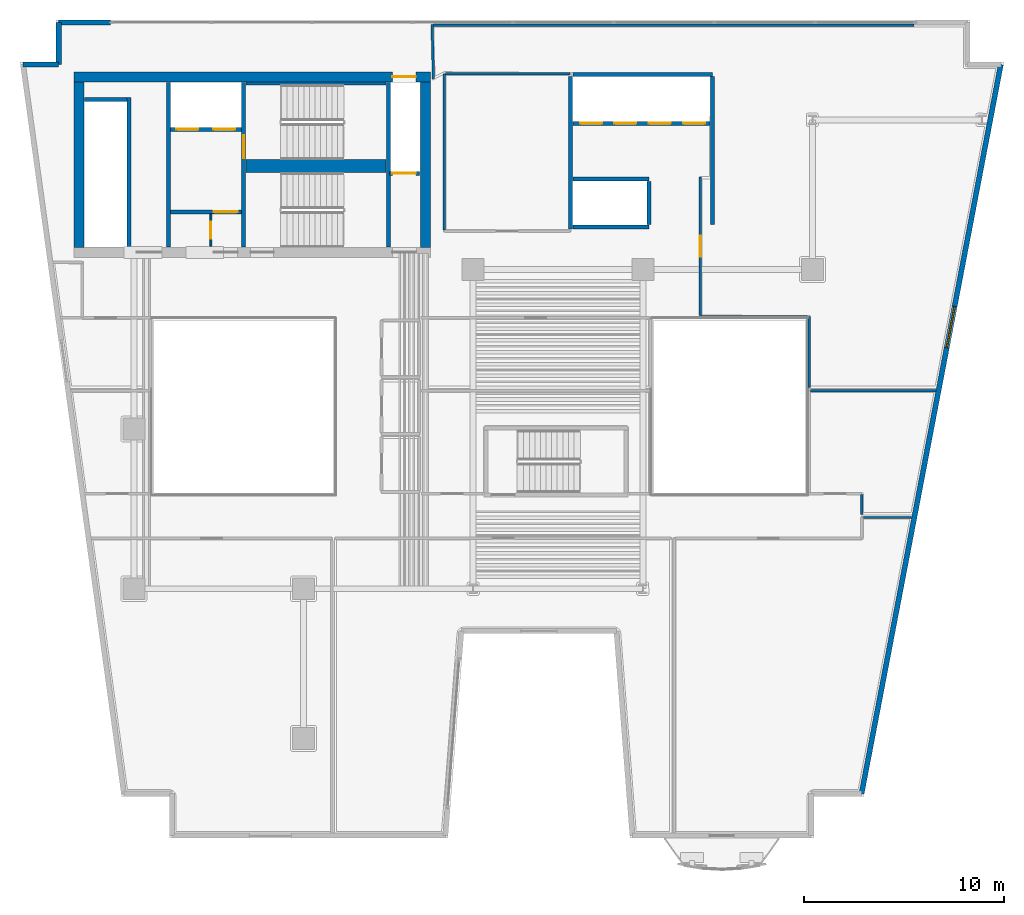
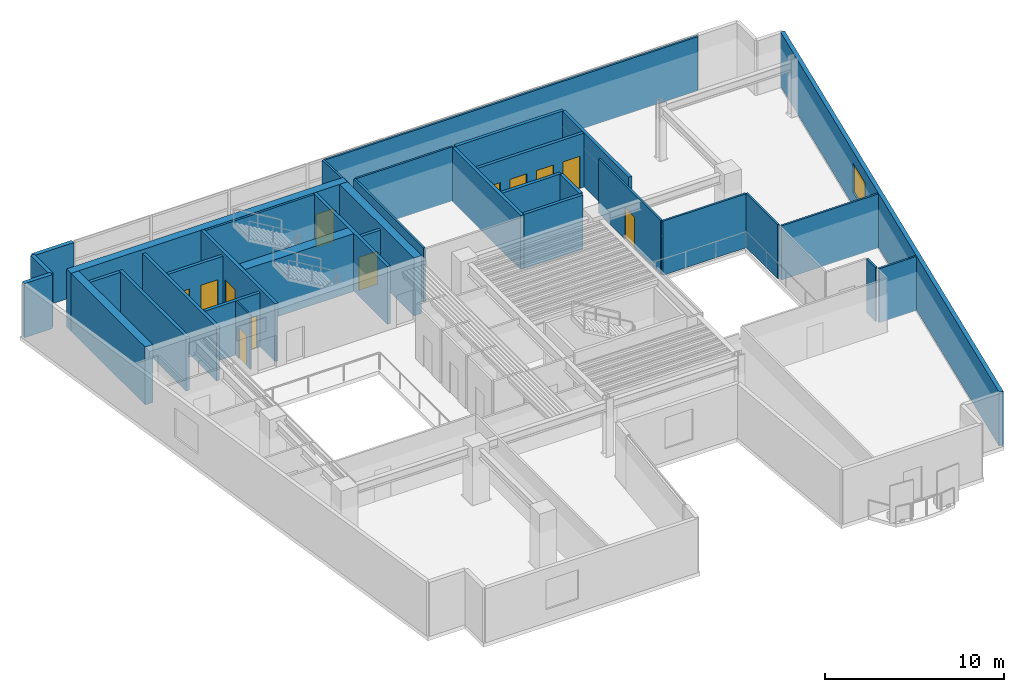
# One storey, part 7 of 13: 35 walls, 12 doors, 1 window, 13 openings.
"""IFC4 building model written with IfcOpenShell, lengths in metres."""

from ifc_helpers import new_model, si_unit, direction, frame, frame_2d, origin, place, context, subcontext, project, spatial, rectangle, extrude, material, layer, layer_set, type_object, element, fill, save


model = new_model("IFC4")

# Units and contexts
model_context = context("Model", 3, precision=1e-05, world=origin(), true_north=direction((0.0, 1.0)))
body_context = subcontext(model_context, "Body", "Model", "MODEL_VIEW")
ifc_project = project(units=[si_unit("LENGTHUNIT", "METRE"), si_unit("AREAUNIT", "SQUARE_METRE"), si_unit("VOLUMEUNIT", "CUBIC_METRE"), si_unit("PLANEANGLEUNIT", "RADIAN"), si_unit("MASSUNIT", "GRAM", prefix="KILO")], contexts=[model_context])

# Site, building, storey
site_placement = place(None, origin())
site = spatial("IfcSite", under=ifc_project, at=site_placement, CompositionType="ELEMENT")
building_placement = place(site_placement, origin())
building = spatial("IfcBuilding", under=site, at=building_placement, Name="Caeloran Harvest Quay", CompositionType="ELEMENT")
storey_placement = place(building_placement, frame((0.0, 0.0, 143.0)))
storey = spatial("IfcBuildingStorey", under=building, at=storey_placement, Name="L33", CompositionType="ELEMENT", Elevation=143.0)

# Walls
ifc_material_1 = material(Name="Precast concrete C50/60", Category="concrete")
ifc_layer_1 = layer(ifc_material_1, 0.260009765625, Name="Precast concrete C50/60")
ifc_layer_set_1 = layer_set([ifc_layer_1], Name="Precast concrete C50/60")
wall_type_1 = type_object("IfcWallType", Name="ENV-WALL-EW-260", PredefinedType="STANDARD", material=ifc_layer_set_1)
wall_1_placement = place(storey_placement, frame((2.939697265625, 41.27001953125, 0.0), z_axis=(0.0, 0.0, 1.0), x_axis=(1.0, 0.0, 0.0)))
element("IfcWall", 1, at=wall_1_placement, inside=storey, type_object=wall_type_1, Name="L33 Exterior Precast Concrete Facade Wall 4", PredefinedType="STANDARD", context=body_context, shape_type="SweptSolid", body=[
    extrude(rectangle(XDim=1.790283203125, YDim=0.260009765625, at=frame_2d((0.89501953125, 0.0))), origin(), (0.0, 0.0, 1.0), 3.68994140625),
])
wall_2_placement = place(storey_placement, frame((4.72998046875, 41.27001953125, 0.0), z_axis=(0.0, 0.0, 1.0), x_axis=(0.0, 1.0, 0.0)))
element("IfcWall", 2, at=wall_2_placement, inside=storey, type_object=wall_type_1, Name="L33 Exterior Precast Concrete Facade Wall 5", PredefinedType="STANDARD", context=body_context, shape_type="SweptSolid", body=[
    extrude(rectangle(XDim=2.10009765625, YDim=0.260009765625, at=frame_2d((1.050048828125, 0.0))), origin(), (0.0, 0.0, 1.0), 3.68994140625),
])
wall_3_placement = place(storey_placement, frame((4.72998046875, 43.3701171875, 0.0), z_axis=(0.0, 0.0, 1.0), x_axis=(1.0, 0.0, 0.0)))
element("IfcWall", 3, at=wall_3_placement, inside=storey, type_object=wall_type_1, Name="L33 Exterior Facade Corner Pier Wall 6A", PredefinedType="STANDARD", context=body_context, shape_type="SweptSolid", body=[
    extrude(rectangle(XDim=2.60009765625, YDim=0.260009765625, at=frame_2d((1.300048828125, 0.0))), origin(), (0.0, 0.0, 1.0), 3.68994140625),
])

# Wall, opening, window
wall_4_placement = place(storey_placement, frame((51.94189453125, 41.27001953125, 0.0), z_axis=(0.0, 0.0, 1.0), x_axis=(-0.187592192405, -0.982247000173, 0.0)))
wall_4 = element("IfcWall", 4, at=wall_4_placement, inside=storey, type_object=wall_type_1, Name="L33 Exterior Precast Concrete Facade Wall 9", PredefinedType="STANDARD", context=body_context, shape_type="SweptSolid", body=[
    extrude(rectangle(XDim=37.200439453125, YDim=0.260009765625, at=frame_2d((18.60009765625, 0.0))), origin(), (0.0, 0.0, 1.0), 3.68994140625),
])
opening_1_placement = place(wall_4_placement, frame((12.342041015625, 0.0, 0.89990234375)))
opening_1 = element("IfcOpeningElement", 5, at=opening_1_placement, cuts=wall_4, Name="Opening W-06", PredefinedType="OPENING", context=body_context, shape_type="SweptSolid", body=[
    extrude(rectangle(XDim=2.10009765625, YDim=2.0, at=frame_2d((1.050048828125, 1.0))), frame((0.0, 0.14013671875, 0.0), z_axis=(0.0, -1.0, 0.0), x_axis=(1.0, 0.0, 0.0)), (0.0, 0.0, 1.0), 0.280029296875),
])
ifc_material_2 = material(Name="Aluminium-Framed Low-E Laminated Glass", Category="aluminium")
window_type = type_object("IfcWindowType", Name="WIN-W-06", PartitioningType="DOUBLE_PANEL_VERTICAL", PredefinedType="WINDOW", material=ifc_material_2)
window_placement = place(opening_1_placement, origin())
window = element("IfcWindow", 6, at=window_placement, inside=storey, type_object=window_type, Name="L33 Facade Punched Window W-06", OverallHeight=2.0, OverallWidth=2.10009765625, PartitioningType="DOUBLE_PANEL_VERTICAL", PredefinedType="WINDOW", context=body_context, shape_type="SweptSolid", body=[
    extrude(rectangle(XDim=2.10009765625, YDim=2.0, at=frame_2d((1.050048828125, 1.0))), frame((0.0, 0.030029296875, 0.0), z_axis=(0.0, -1.0, 0.0), x_axis=(1.0, 0.0, 0.0)), (0.0, 0.0, 1.0), 0.06005859375),
])
fill(opening_1, window)

# Wall, opening, door
ifc_material_3 = material(Name="Fire-Resisting Gypsum Core Riser Partition", Category="gypsum")
ifc_layer_2 = layer(ifc_material_3, 0.10009765625, Name="Fire-Resisting Gypsum Core Riser Partition")
ifc_layer_set_2 = layer_set([ifc_layer_2], Name="Fire-Resisting Gypsum Core Riser Partition")
wall_type_2 = type_object("IfcWallType", Name="INT-WALL-PW-100", PredefinedType="PARTITIONING", material=ifc_layer_set_2)
wall_5_placement = place(storey_placement, frame((12.360107421875, 32.159912109375, 0.0), z_axis=(0.0, 0.0, 1.0), x_axis=(0.0, 1.0, 0.0)))
wall_5 = element("IfcWall", 7, at=wall_5_placement, inside=storey, type_object=wall_type_2, Name="L33 Core Store Partition Wall", PredefinedType="PARTITIONING", context=body_context, shape_type="SweptSolid", body=[
    extrude(rectangle(XDim=1.6201171875, YDim=0.10009765625, at=frame_2d((0.81005859375, 0.0))), origin(), (0.0, 0.0, 1.0), 3.68994140625),
])
opening_2_placement = place(wall_5_placement, frame((0.3798828125, 0.0, 0.0)))
opening_2 = element("IfcOpeningElement", 8, at=opening_2_placement, cuts=wall_5, Name="Opening SV-01", PredefinedType="OPENING", context=body_context, shape_type="SweptSolid", body=[
    extrude(rectangle(XDim=0.85009765625, YDim=2.10009765625, at=frame_2d((0.425048828125, 1.050048828125))), frame((0.0, 0.06005859375, 0.0), z_axis=(0.0, -1.0, 0.0), x_axis=(1.0, 0.0, 0.0)), (0.0, 0.0, 1.0), 0.1201171875),
])
ifc_material_4 = material(Name="Galvanized Painted Steel", Category="steel")
door_type_1 = type_object("IfcDoorType", Name="INTDOOR-SV-01", OperationType="NOTDEFINED", PredefinedType="DOOR", material=ifc_material_4)
door_1_placement = place(opening_2_placement, origin())
door_1 = element("IfcDoor", 9, at=door_1_placement, inside=storey, type_object=door_type_1, Name="L33 Core Service Room Access Door", OperationType="SINGLE_SWING_RIGHT", OverallHeight=2.10009765625, OverallWidth=0.85009765625, PredefinedType="DOOR", context=body_context, shape_type="SweptSolid", body=[
    extrude(rectangle(XDim=0.85009765625, YDim=2.10009765625, at=frame_2d((0.425048828125, 1.050048828125))), frame((0.0, 0.02490234375, 0.0), z_axis=(0.0, -1.0, 0.0), x_axis=(1.0, 0.0, 0.0)), (0.0, 0.0, 1.0), 0.050048828125),
])
fill(opening_2, door_1)

# Walls
ifc_material_5 = material(Name="Twin-Stud Mineral-Wool Acoustic Gypsum Partition", Category="gypsum")
ifc_layer_3 = layer(ifc_material_5, 0.125, Name="Twin-Stud Mineral-Wool Acoustic Gypsum Partition")
ifc_layer_set_3 = layer_set([ifc_layer_3], Name="Twin-Stud Mineral-Wool Acoustic Gypsum Partition")
wall_type_3 = type_object("IfcWallType", Name="INT-WALL-PW-125", PredefinedType="PARTITIONING", material=ifc_layer_set_3)
wall_6_placement = place(storey_placement, frame((24.050048828125, 32.987548828125, 0.0), z_axis=(0.0, 0.0, 1.0), x_axis=(0.0, 1.0, 0.0)))
element("IfcWall", 10, at=wall_6_placement, inside=storey, type_object=wall_type_3, Name="L33 Bioinformatics and Crop Phenotyping Laboratory Partition Wall", PredefinedType="PARTITIONING", context=body_context, shape_type="SweptSolid", body=[
    extrude(rectangle(XDim=7.8125, YDim=0.125, at=frame_2d((3.90625, 0.0))), origin(), (0.0, 0.0, 1.0), 3.68994140625),
])
wall_7_placement = place(storey_placement, frame((24.117431640625, 40.800048828125, 0.0), z_axis=(0.0, 0.0, 1.0), x_axis=(1.0, 0.0, 0.0)))
element("IfcWall", 11, at=wall_7_placement, inside=storey, type_object=wall_type_3, Name="L33 Bioinformatics and Crop Phenotyping Laboratory Partition Wall", PredefinedType="PARTITIONING", context=body_context, shape_type="SweptSolid", body=[
    extrude(rectangle(XDim=6.232666015625, YDim=0.125, at=frame_2d((3.1162109375, 0.0))), origin(), (0.0, 0.0, 1.0), 3.68994140625),
])
wall_8_placement = place(storey_placement, frame((45.047607421875, 18.570068359375, 0.0), z_axis=(0.0, 0.0, 1.0), x_axis=(1.0, 0.0, 0.0)))
element("IfcWall", 12, at=wall_8_placement, inside=storey, type_object=wall_type_3, Name="Food Texture Sensory Laboratory Partition Wall", PredefinedType="PARTITIONING", context=body_context, shape_type="SweptSolid", body=[
    extrude(rectangle(XDim=2.421630859375, YDim=0.125, at=frame_2d((1.2109375, 0.0))), origin(), (0.0, 0.0, 1.0), 3.68994140625),
])
wall_9_placement = place(storey_placement, frame((42.3974609375, 24.919921875, 0.0), z_axis=(0.0, 0.0, 1.0), x_axis=(1.0, 0.0, 0.0)))
element("IfcWall", 13, at=wall_9_placement, inside=storey, type_object=wall_type_3, Name="Bioreactor Pilot Hall Partition Wall", PredefinedType="PARTITIONING", context=body_context, shape_type="SweptSolid", body=[
    extrude(rectangle(XDim=6.284423828125, YDim=0.125, at=frame_2d((3.14208984375, 0.0))), origin(), (0.0, 0.0, 1.0), 3.68994140625),
])
wall_10_placement = place(storey_placement, frame((44.97998046875, 18.72998046875, 0.0), z_axis=(0.0, 0.0, 1.0), x_axis=(0.0, 1.0, 0.0)))
element("IfcWall", 14, at=wall_10_placement, inside=storey, type_object=wall_type_3, Name="Bioreactor Pilot Hall Partition Wall", PredefinedType="PARTITIONING", context=body_context, shape_type="SweptSolid", body=[
    extrude(rectangle(XDim=0.989990234375, YDim=0.125, at=frame_2d((0.4951171875, 0.0))), origin(), (0.0, 0.0, 1.0), 3.68994140625),
])
wall_11_placement = place(storey_placement, frame((42.330078125, 25.080078125, 0.0), z_axis=(0.0, 0.0, 1.0), x_axis=(0.0, 1.0, 0.0)))
element("IfcWall", 15, at=wall_11_placement, inside=storey, type_object=wall_type_3, Name="Food Texture Sensory Laboratory 9 Partition Wall", PredefinedType="PARTITIONING", context=body_context, shape_type="SweptSolid", body=[
    extrude(rectangle(XDim=3.5498046875, YDim=0.125, at=frame_2d((1.77490234375, 0.0))), origin(), (0.0, 0.0, 1.0), 3.68994140625),
])
wall_12_placement = place(storey_placement, frame((42.262451171875, 28.6298828125, 0.0), z_axis=(0.0, 0.0, 1.0), x_axis=(-1.0, 0.0, 0.0)))
element("IfcWall", 16, at=wall_12_placement, inside=storey, type_object=wall_type_3, Name="Food Texture Sensory Laboratory 9 Partition Wall", PredefinedType="PARTITIONING", context=body_context, shape_type="SweptSolid", body=[
    extrude(rectangle(XDim=5.382568359375, YDim=0.125, at=frame_2d((2.69140625, 0.0))), origin(), (0.0, 0.0, 1.0), 3.68994140625),
])

# Wall, opening, door
wall_13_placement = place(storey_placement, frame((36.8798828125, 28.697509765625, 0.0), z_axis=(0.0, 0.0, 1.0), x_axis=(0.0, 1.0, 0.0)))
wall_13 = element("IfcWall", 17, at=wall_13_placement, inside=storey, type_object=wall_type_3, Name="Food Texture Sensory Laboratory 9 Partition Wall", PredefinedType="PARTITIONING", context=body_context, shape_type="SweptSolid", body=[
    extrude(rectangle(XDim=6.922607421875, YDim=0.125, at=frame_2d((3.46142578125, 0.0))), origin(), (0.0, 0.0, 1.0), 3.68994140625),
])
opening_3_placement = place(wall_13_placement, frame((2.936279296875, 0.0, 0.0)))
opening_3 = element("IfcOpeningElement", 18, at=opening_3_placement, cuts=wall_13, Name="Opening ID-03", PredefinedType="OPENING", context=body_context, shape_type="SweptSolid", body=[
    extrude(rectangle(XDim=1.050048828125, YDim=2.14990234375, at=frame_2d((0.52490234375, 1.074951171875))), frame((0.0, 0.072509765625, 0.0), z_axis=(0.0, -1.0, 0.0), x_axis=(1.0, 0.0, 0.0)), (0.0, 0.0, 1.0), 0.14501953125),
])
ifc_material_6 = material(Name="FSC Solid-Core Oak Timber Leaf", Category="wood")
door_type_2 = type_object("IfcDoorType", Name="INTDOOR-ID-03", OperationType="NOTDEFINED", PredefinedType="DOOR", material=ifc_material_6)
door_2_placement = place(opening_3_placement, origin())
door_2 = element("IfcDoor", 19, at=door_2_placement, inside=storey, type_object=door_type_2, Name="Food Texture Sensory Laboratory 9 Access Door", OperationType="SINGLE_SWING_LEFT", OverallHeight=2.14990234375, OverallWidth=1.050048828125, PredefinedType="DOOR", context=body_context, shape_type="SweptSolid", body=[
    extrude(rectangle(XDim=1.050048828125, YDim=2.14990234375, at=frame_2d((0.52490234375, 1.074951171875))), frame((0.0, 0.02490234375, 0.0), z_axis=(0.0, -1.0, 0.0), x_axis=(1.0, 0.0, 0.0)), (0.0, 0.0, 1.0), 0.050048828125),
])
fill(opening_3, door_2)

# Walls
wall_14_placement = place(storey_placement, frame((23.510009765625, 40.555908203125, 0.0), z_axis=(0.0, 0.0, 1.0), x_axis=(-0.02567646332, 0.999670305266, 0.0)))
element("IfcWall", 20, at=wall_14_placement, inside=storey, type_object=wall_type_3, Name="Food Texture Sensory Laboratory 9 Partition Wall", PredefinedType="PARTITIONING", context=body_context, shape_type="SweptSolid", body=[
    extrude(rectangle(XDim=2.7099609375, YDim=0.125, at=frame_2d((1.35498046875, 0.0))), origin(), (0.0, 0.0, 1.0), 3.68994140625),
])
wall_15_placement = place(storey_placement, frame((23.508544921875, 43.239990234375, 0.0), z_axis=(0.0, 0.0, 1.0), x_axis=(1.0, 0.0, 0.0)))
element("IfcWall", 21, at=wall_15_placement, inside=storey, type_object=wall_type_3, Name="Food Texture Sensory Laboratory 9 Partition Wall", PredefinedType="PARTITIONING", context=body_context, shape_type="SweptSolid", body=[
    extrude(rectangle(XDim=24.0869140625, YDim=0.125, at=frame_2d((12.04345703125, 0.0))), origin(), (0.0, 0.0, 1.0), 3.68994140625),
])
ifc_material_7 = material(Name="Concrete C50/60", Category="concrete")
ifc_layer_4 = layer(ifc_material_7, 0.199951171875, Name="Concrete C50/60")
ifc_layer_set_4 = layer_set([ifc_layer_4], Name="Concrete C50/60")
wall_type_4 = type_object("IfcWallType", Name="INT-WALL-SW-200", PredefinedType="PARTITIONING", material=ifc_layer_set_4)
wall_16_placement = place(storey_placement, frame((8.260009765625, 32.1201171875, 0.0), z_axis=(0.0, 0.0, 1.0), x_axis=(0.0, 1.0, 0.0)))
element("IfcWall", 22, at=wall_16_placement, inside=storey, type_object=wall_type_4, Name="L33 Bank 3 Lift Shaft Wall", PredefinedType="PARTITIONING", context=body_context, shape_type="SweptSolid", body=[
    extrude(rectangle(XDim=7.5, YDim=0.199951171875, at=frame_2d((3.75, 0.0))), origin(), (0.0, 0.0, 1.0), 3.68994140625),
])
wall_17_placement = place(storey_placement, frame((6.02001953125, 39.52001953125, 0.0), z_axis=(0.0, 0.0, 1.0), x_axis=(1.0, 0.0, 0.0)))
element("IfcWall", 23, at=wall_17_placement, inside=storey, type_object=wall_type_4, Name="L33 Bank 3 Lift Shaft North End Wall", PredefinedType="PARTITIONING", context=body_context, shape_type="SweptSolid", body=[
    extrude(rectangle(XDim=2.119873046875, YDim=0.199951171875, at=frame_2d((1.06005859375, 0.0))), origin(), (0.0, 0.0, 1.0), 3.68994140625),
])
wall_18_placement = place(storey_placement, frame((10.219970703125, 32.1201171875, 0.0), z_axis=(0.0, 0.0, 1.0), x_axis=(0.0, 1.0, 0.0)))
element("IfcWall", 24, at=wall_18_placement, inside=storey, type_object=wall_type_4, Name="L33 Core Lobby Compartment Wall", PredefinedType="PARTITIONING", context=body_context, shape_type="SweptSolid", body=[
    extrude(rectangle(XDim=8.259765625, YDim=0.199951171875, at=frame_2d((4.1298828125, 0.0))), origin(), (0.0, 0.0, 1.0), 3.68994140625),
])

# Wall, openings, doors
wall_19_placement = place(storey_placement, frame((10.340087890625, 38.02001953125, 0.0), z_axis=(0.0, 0.0, 1.0), x_axis=(1.0, 0.0, 0.0)))
wall_19 = element("IfcWall", 25, at=wall_19_placement, inside=storey, type_object=wall_type_4, Name="L33 Firefighting Lift Shaft Wall", PredefinedType="PARTITIONING", context=body_context, shape_type="SweptSolid", body=[
    extrude(rectangle(XDim=3.539794921875, YDim=0.199951171875, at=frame_2d((1.77001953125, 0.0))), origin(), (0.0, 0.0, 1.0), 3.68994140625),
])
opening_4_placement = place(wall_19_placement, frame((0.284912109375, 0.0, 0.0)))
opening_4 = element("IfcOpeningElement", 26, at=opening_4_placement, cuts=wall_19, Name="Opening LD-01", PredefinedType="OPENING", context=body_context, shape_type="SweptSolid", body=[
    extrude(rectangle(XDim=1.10009765625, YDim=2.199951171875, at=frame_2d((0.550048828125, 1.10009765625))), frame((0.0, 0.10986328125, 0.0), z_axis=(0.0, -1.0, 0.0), x_axis=(1.0, 0.0, 0.0)), (0.0, 0.0, 1.0), 0.219970703125),
])
opening_5_placement = place(wall_19_placement, frame((2.135009765625, 0.0, 0.0)))
opening_5 = element("IfcOpeningElement", 27, at=opening_5_placement, cuts=wall_19, Name="Opening LD-01", PredefinedType="OPENING", context=body_context, shape_type="SweptSolid", body=[
    extrude(rectangle(XDim=1.10009765625, YDim=2.199951171875, at=frame_2d((0.550048828125, 1.10009765625))), frame((0.0, 0.10986328125, 0.0), z_axis=(0.0, -1.0, 0.0), x_axis=(1.0, 0.0, 0.0)), (0.0, 0.0, 1.0), 0.219970703125),
])
ifc_material_8 = material(Name="Stainless Steel Grade 316", Category="steel")
door_type_3 = type_object("IfcDoorType", Name="INTDOOR-LD-01", OperationType="NOTDEFINED", PredefinedType="DOOR", material=ifc_material_8)
door_3_placement = place(opening_4_placement, origin())
door_3 = element("IfcDoor", 28, at=door_3_placement, inside=storey, type_object=door_type_3, Name="Lift FF-1 Sliding Landing Door (L33)", OperationType="DOUBLE_DOOR_SLIDING", OverallHeight=2.199951171875, OverallWidth=1.10009765625, PredefinedType="DOOR", context=body_context, shape_type="SweptSolid", body=[
    extrude(rectangle(XDim=1.10009765625, YDim=2.199951171875, at=frame_2d((0.550048828125, 1.10009765625))), frame((0.0, 0.02490234375, 0.0), z_axis=(0.0, -1.0, 0.0), x_axis=(1.0, 0.0, 0.0)), (0.0, 0.0, 1.0), 0.050048828125),
])
fill(opening_4, door_3)
door_4_placement = place(opening_5_placement, origin())
door_4 = element("IfcDoor", 29, at=door_4_placement, inside=storey, type_object=door_type_3, Name="Lift FF-2 Sliding Landing Door (L33)", OperationType="DOUBLE_DOOR_SLIDING", OverallHeight=2.199951171875, OverallWidth=1.10009765625, PredefinedType="DOOR", context=body_context, shape_type="SweptSolid", body=[
    extrude(rectangle(XDim=1.10009765625, YDim=2.199951171875, at=frame_2d((0.550048828125, 1.10009765625))), frame((0.0, 0.02490234375, 0.0), z_axis=(0.0, -1.0, 0.0), x_axis=(1.0, 0.0, 0.0)), (0.0, 0.0, 1.0), 0.050048828125),
])
fill(opening_5, door_4)

# Wall, opening, door
wall_20_placement = place(storey_placement, frame((10.340087890625, 33.8798828125, 0.0), z_axis=(0.0, 0.0, 1.0), x_axis=(1.0, 0.0, 0.0)))
wall_20 = element("IfcWall", 30, at=wall_20_placement, inside=storey, type_object=wall_type_4, Name="L33 Firefighting Lift Lobby Enclosure Wall", PredefinedType="PARTITIONING", context=body_context, shape_type="SweptSolid", body=[
    extrude(rectangle(XDim=3.559814453125, YDim=0.199951171875, at=frame_2d((1.77978515625, 0.0))), origin(), (0.0, 0.0, 1.0), 3.68994140625),
])
opening_6_placement = place(wall_20_placement, frame((2.14990234375, 0.0, 0.0)))
opening_6 = element("IfcOpeningElement", 31, at=opening_6_placement, cuts=wall_20, Name="Opening FD-01", PredefinedType="OPENING", context=body_context, shape_type="SweptSolid", body=[
    extrude(rectangle(XDim=1.199951171875, YDim=2.199951171875, at=frame_2d((0.60009765625, 1.10009765625))), frame((0.0, 0.10986328125, 0.0), z_axis=(0.0, -1.0, 0.0), x_axis=(1.0, 0.0, 0.0)), (0.0, 0.0, 1.0), 0.219970703125),
])
ifc_material_9 = material(Name="Steel", Category="steel")
door_type_4 = type_object("IfcDoorType", Name="INTDOOR-FD-01", OperationType="NOTDEFINED", PredefinedType="DOOR", material=ifc_material_9)
door_5_placement = place(opening_6_placement, origin())
door_5 = element("IfcDoor", 32, at=door_5_placement, inside=storey, type_object=door_type_4, Name="L33 Firefighting Lift Lobby Smoke-Seal Fire Door", OperationType="SINGLE_SWING_LEFT", OverallHeight=2.199951171875, OverallWidth=1.199951171875, PredefinedType="DOOR", context=body_context, shape_type="SweptSolid", body=[
    extrude(rectangle(XDim=1.199951171875, YDim=2.199951171875, at=frame_2d((0.60009765625, 1.10009765625))), frame((0.0, 0.02490234375, 0.0), z_axis=(0.0, -1.0, 0.0), x_axis=(1.0, 0.0, 0.0)), (0.0, 0.0, 1.0), 0.050048828125),
])
fill(opening_6, door_5)

wall_21_placement = place(storey_placement, frame((21.300048828125, 35.820068359375, 0.0), z_axis=(0.0, 0.0, 1.0), x_axis=(1.0, 0.0, 0.0)))
wall_21 = element("IfcWall", 33, at=wall_21_placement, inside=storey, type_object=wall_type_4, Name="L33 Service Lift SV-2 Shaft Wall", PredefinedType="PARTITIONING", context=body_context, shape_type="SweptSolid", body=[
    extrude(rectangle(XDim=1.5, YDim=0.199951171875, at=frame_2d((0.75, 0.0))), origin(), (0.0, 0.0, 1.0), 3.68994140625),
])
opening_7_placement = place(wall_21_placement, frame((0.14501953125, 0.0, 0.0)))
opening_7 = element("IfcOpeningElement", 34, at=opening_7_placement, cuts=wall_21, Name="Opening LD-02", PredefinedType="OPENING", context=body_context, shape_type="SweptSolid", body=[
    extrude(rectangle(XDim=1.179931640625, YDim=2.25, at=frame_2d((0.58984375, 1.125))), frame((0.0, 0.10986328125, 0.0), z_axis=(0.0, -1.0, 0.0), x_axis=(1.0, 0.0, 0.0)), (0.0, 0.0, 1.0), 0.219970703125),
])
door_type_5 = type_object("IfcDoorType", Name="INTDOOR-LD-02", OperationType="NOTDEFINED", PredefinedType="DOOR", material=ifc_material_8)
door_6_placement = place(opening_7_placement, origin())
door_6 = element("IfcDoor", 35, at=door_6_placement, inside=storey, type_object=door_type_5, Name="Lift SV-2 Sliding Landing Door (L33)", OperationType="DOUBLE_DOOR_SLIDING", OverallHeight=2.25, OverallWidth=1.179931640625, PredefinedType="DOOR", context=body_context, shape_type="SweptSolid", body=[
    extrude(rectangle(XDim=1.179931640625, YDim=2.25, at=frame_2d((0.58984375, 1.125))), frame((0.0, 0.02490234375, 0.0), z_axis=(0.0, -1.0, 0.0), x_axis=(1.0, 0.0, 0.0)), (0.0, 0.0, 1.0), 0.050048828125),
])
fill(opening_7, door_6)

# Walls
wall_22_placement = place(storey_placement, frame((30.3798828125, 33.02001953125, 0.0), z_axis=(0.0, 0.0, 1.0), x_axis=(0.0, 1.0, 0.0)))
element("IfcWall", 36, at=wall_22_placement, inside=storey, type_object=wall_type_4, Name="L33 Bank 2 and Shuttle Lift Shaft West Wall", PredefinedType="PARTITIONING", context=body_context, shape_type="SweptSolid", body=[
    extrude(rectangle(XDim=7.639892578125, YDim=0.199951171875, at=frame_2d((3.81982421875, 0.0))), origin(), (0.0, 0.0, 1.0), 3.68994140625),
])
wall_23_placement = place(storey_placement, frame((30.5, 40.780029296875, 0.0), z_axis=(0.0, 0.0, 1.0), x_axis=(1.0, 0.0, 0.0)))
element("IfcWall", 37, at=wall_23_placement, inside=storey, type_object=wall_type_4, Name="L33 Bank 2 Lift Shaft North Wall", PredefinedType="PARTITIONING", context=body_context, shape_type="SweptSolid", body=[
    extrude(rectangle(XDim=6.97998046875, YDim=0.199951171875, at=frame_2d((3.489990234375, 0.0))), origin(), (0.0, 0.0, 1.0), 3.68994140625),
])
wall_24_placement = place(storey_placement, frame((37.47998046875, 33.239990234375, 0.0), z_axis=(0.0, 0.0, 1.0), x_axis=(0.0, 1.0, 0.0)))
element("IfcWall", 38, at=wall_24_placement, inside=storey, type_object=wall_type_4, Name="L33 Bank 2 Lift Shaft East Wall", PredefinedType="PARTITIONING", context=body_context, shape_type="SweptSolid", body=[
    extrude(rectangle(XDim=7.419921875, YDim=0.199951171875, at=frame_2d((3.7099609375, 0.0))), origin(), (0.0, 0.0, 1.0), 3.68994140625),
])

# Wall, openings, doors
wall_25_placement = place(storey_placement, frame((30.5, 38.320068359375, 0.0), z_axis=(0.0, 0.0, 1.0), x_axis=(1.0, 0.0, 0.0)))
wall_25 = element("IfcWall", 39, at=wall_25_placement, inside=storey, type_object=wall_type_4, Name="L33 Bank 2 Lift Landing Front Wall", PredefinedType="PARTITIONING", context=body_context, shape_type="SweptSolid", body=[
    extrude(rectangle(XDim=6.860107421875, YDim=0.199951171875, at=frame_2d((3.43017578125, 0.0))), origin(), (0.0, 0.0, 1.0), 3.68994140625),
])
opening_8_placement = place(wall_25_placement, frame((0.360107421875, 0.0, 0.0)))
opening_8 = element("IfcOpeningElement", 40, at=opening_8_placement, cuts=wall_25, Name="Opening LD-01", PredefinedType="OPENING", context=body_context, shape_type="SweptSolid", body=[
    extrude(rectangle(XDim=1.10009765625, YDim=2.199951171875, at=frame_2d((0.550048828125, 1.10009765625))), frame((0.0, 0.10986328125, 0.0), z_axis=(0.0, -1.0, 0.0), x_axis=(1.0, 0.0, 0.0)), (0.0, 0.0, 1.0), 0.219970703125),
])
opening_9_placement = place(wall_25_placement, frame((2.080078125, 0.0, 0.0)))
opening_9 = element("IfcOpeningElement", 41, at=opening_9_placement, cuts=wall_25, Name="Opening LD-01", PredefinedType="OPENING", context=body_context, shape_type="SweptSolid", body=[
    extrude(rectangle(XDim=1.10009765625, YDim=2.199951171875, at=frame_2d((0.550048828125, 1.10009765625))), frame((0.0, 0.10986328125, 0.0), z_axis=(0.0, -1.0, 0.0), x_axis=(1.0, 0.0, 0.0)), (0.0, 0.0, 1.0), 0.219970703125),
])
opening_10_placement = place(wall_25_placement, frame((3.800048828125, 0.0, 0.0)))
opening_10 = element("IfcOpeningElement", 42, at=opening_10_placement, cuts=wall_25, Name="Opening LD-01", PredefinedType="OPENING", context=body_context, shape_type="SweptSolid", body=[
    extrude(rectangle(XDim=1.10009765625, YDim=2.199951171875, at=frame_2d((0.550048828125, 1.10009765625))), frame((0.0, 0.10986328125, 0.0), z_axis=(0.0, -1.0, 0.0), x_axis=(1.0, 0.0, 0.0)), (0.0, 0.0, 1.0), 0.219970703125),
])
opening_11_placement = place(wall_25_placement, frame((5.52001953125, 0.0, 0.0)))
opening_11 = element("IfcOpeningElement", 43, at=opening_11_placement, cuts=wall_25, Name="Opening LD-01", PredefinedType="OPENING", context=body_context, shape_type="SweptSolid", body=[
    extrude(rectangle(XDim=1.10009765625, YDim=2.199951171875, at=frame_2d((0.550048828125, 1.10009765625))), frame((0.0, 0.10986328125, 0.0), z_axis=(0.0, -1.0, 0.0), x_axis=(1.0, 0.0, 0.0)), (0.0, 0.0, 1.0), 0.219970703125),
])
door_7_placement = place(opening_8_placement, origin())
door_7 = element("IfcDoor", 44, at=door_7_placement, inside=storey, type_object=door_type_3, Name="Lift P2-1 Sliding Landing Door (L33)", OperationType="DOUBLE_DOOR_SLIDING", OverallHeight=2.199951171875, OverallWidth=1.10009765625, PredefinedType="DOOR", context=body_context, shape_type="SweptSolid", body=[
    extrude(rectangle(XDim=1.10009765625, YDim=2.199951171875, at=frame_2d((0.550048828125, 1.10009765625))), frame((0.0, 0.02490234375, 0.0), z_axis=(0.0, -1.0, 0.0), x_axis=(1.0, 0.0, 0.0)), (0.0, 0.0, 1.0), 0.050048828125),
])
fill(opening_8, door_7)
door_8_placement = place(opening_9_placement, origin())
door_8 = element("IfcDoor", 45, at=door_8_placement, inside=storey, type_object=door_type_3, Name="Lift P2-2 Sliding Landing Door (L33)", OperationType="DOUBLE_DOOR_SLIDING", OverallHeight=2.199951171875, OverallWidth=1.10009765625, PredefinedType="DOOR", context=body_context, shape_type="SweptSolid", body=[
    extrude(rectangle(XDim=1.10009765625, YDim=2.199951171875, at=frame_2d((0.550048828125, 1.10009765625))), frame((0.0, 0.02490234375, 0.0), z_axis=(0.0, -1.0, 0.0), x_axis=(1.0, 0.0, 0.0)), (0.0, 0.0, 1.0), 0.050048828125),
])
fill(opening_9, door_8)
door_9_placement = place(opening_10_placement, origin())
door_9 = element("IfcDoor", 46, at=door_9_placement, inside=storey, type_object=door_type_3, Name="Lift P2-3 Sliding Landing Door (L33)", OperationType="DOUBLE_DOOR_SLIDING", OverallHeight=2.199951171875, OverallWidth=1.10009765625, PredefinedType="DOOR", context=body_context, shape_type="SweptSolid", body=[
    extrude(rectangle(XDim=1.10009765625, YDim=2.199951171875, at=frame_2d((0.550048828125, 1.10009765625))), frame((0.0, 0.02490234375, 0.0), z_axis=(0.0, -1.0, 0.0), x_axis=(1.0, 0.0, 0.0)), (0.0, 0.0, 1.0), 0.050048828125),
])
fill(opening_10, door_9)
door_10_placement = place(opening_11_placement, origin())
door_10 = element("IfcDoor", 47, at=door_10_placement, inside=storey, type_object=door_type_3, Name="Lift P2-4 Sliding Landing Door (L33)", OperationType="DOUBLE_DOOR_SLIDING", OverallHeight=2.199951171875, OverallWidth=1.10009765625, PredefinedType="DOOR", context=body_context, shape_type="SweptSolid", body=[
    extrude(rectangle(XDim=1.10009765625, YDim=2.199951171875, at=frame_2d((0.550048828125, 1.10009765625))), frame((0.0, 0.02490234375, 0.0), z_axis=(0.0, -1.0, 0.0), x_axis=(1.0, 0.0, 0.0)), (0.0, 0.0, 1.0), 0.050048828125),
])
fill(opening_11, door_10)

# Walls
for number, where, z_axis, x_axis, name in (
    (48, (30.5, 35.530029296875, 0.0), (0.0, 0.0, 1.0), (1.0, 0.0, 0.0), "L33 Shuttle Lift Landing Front Wall"),
    (49, (30.5, 33.1201171875, 0.0), (0.0, 0.0, 1.0), (1.0, 0.0, 0.0), "L33 Shuttle Lift Shaft South Wall"),
):
    element("IfcWall", number, at=place(storey_placement, frame(where, z_axis=z_axis, x_axis=x_axis)), inside=storey, type_object=wall_type_4, Name=name, PredefinedType="PARTITIONING", context=body_context, shape_type="SweptSolid", body=[
        extrude(rectangle(XDim=3.800048828125, YDim=0.199951171875, at=frame_2d((1.89990234375, 0.0))), origin(), (0.0, 0.0, 1.0), 3.68994140625),
    ])
wall_26_placement = place(storey_placement, frame((34.300048828125, 33.239990234375, 0.0), z_axis=(0.0, 0.0, 1.0), x_axis=(0.0, 1.0, 0.0)))
element("IfcWall", 50, at=wall_26_placement, inside=storey, type_object=wall_type_4, Name="L33 Shuttle Lift Shaft East Wall", PredefinedType="PARTITIONING", context=body_context, shape_type="SweptSolid", body=[
    extrude(rectangle(XDim=2.169921875, YDim=0.199951171875, at=frame_2d((1.0849609375, 0.0))), origin(), (0.0, 0.0, 1.0), 3.68994140625),
])

# Wall, opening, door
ifc_material_10 = material(Name="Concrete C70/85", Category="concrete")
ifc_layer_5 = layer(ifc_material_10, 0.5, Name="Concrete C70/85")
ifc_layer_set_5 = layer_set([ifc_layer_5], Name="Concrete C70/85")
wall_type_5 = type_object("IfcWallType", Name="STR-WALL-CW-500", PredefinedType="SHEAR", material=ifc_layer_set_5)
wall_27_placement = place(storey_placement, frame((5.5, 40.64990234375, 0.0), z_axis=(0.0, 0.0, 1.0), x_axis=(1.0, 0.0, 0.0)))
wall_27 = element("IfcWall", 51, at=wall_27_placement, inside=storey, type_object=wall_type_5, Name="L33 Rear Core Shear Wall N", PredefinedType="SHEAR", context=body_context, shape_type="SweptSolid", body=[
    extrude(rectangle(XDim=17.85009765625, YDim=0.5, at=frame_2d((8.925048828125, 0.0))), origin(), (0.0, 0.0, 1.0), 3.949951171875),
])
opening_12_placement = place(wall_27_placement, frame((15.945068359375, 0.0, 0.0)))
opening_12 = element("IfcOpeningElement", 52, at=opening_12_placement, cuts=wall_27, Name="Opening LD-02", PredefinedType="OPENING", context=body_context, shape_type="SweptSolid", body=[
    extrude(rectangle(XDim=1.179931640625, YDim=2.25, at=frame_2d((0.58984375, 1.125))), frame((0.0, 0.260009765625, 0.0), z_axis=(0.0, -1.0, 0.0), x_axis=(1.0, 0.0, 0.0)), (0.0, 0.0, 1.0), 0.52001953125),
])
door_11_placement = place(opening_12_placement, origin())
door_11 = element("IfcDoor", 53, at=door_11_placement, inside=storey, type_object=door_type_5, Name="Lift SV-1 Sliding Landing Door (L33)", OperationType="DOUBLE_DOOR_SLIDING", OverallHeight=2.25, OverallWidth=1.179931640625, PredefinedType="DOOR", context=body_context, shape_type="SweptSolid", body=[
    extrude(rectangle(XDim=1.179931640625, YDim=2.25, at=frame_2d((0.58984375, 1.125))), frame((0.0, 0.02490234375, 0.0), z_axis=(0.0, -1.0, 0.0), x_axis=(1.0, 0.0, 0.0)), (0.0, 0.0, 1.0), 0.050048828125),
])
fill(opening_12, door_11)

# Walls
for number, where, z_axis, x_axis, name in (
    (54, (5.75, 32.10009765625, 0.0), (0.0, 0.0, 1.0), (0.0, 1.0, 0.0), "L33 Rear Core Shear Wall W"),
    (55, (23.10009765625, 32.10009765625, 0.0), (0.0, 0.0, 1.0), (0.0, 1.0, 0.0), "L33 Rear Core Shear Wall E"),
):
    element("IfcWall", number, at=place(storey_placement, frame(where, z_axis=z_axis, x_axis=x_axis)), inside=storey, type_object=wall_type_5, Name=name, PredefinedType="SHEAR", context=body_context, shape_type="SweptSolid", body=[
        extrude(rectangle(XDim=8.2998046875, YDim=0.5, at=frame_2d((4.14990234375, 0.0))), origin(), (0.0, 0.0, 1.0), 3.949951171875),
    ])
ifc_material_11 = material(Name="Concrete C60/75", Category="concrete")
ifc_layer_6 = layer(ifc_material_11, 0.64990234375, Name="Concrete C60/75")
ifc_layer_set_6 = layer_set([ifc_layer_6], Name="Concrete C60/75")
wall_type_6 = type_object("IfcWallType", Name="STR-WALL-CW-650", PredefinedType="SHEAR", material=ifc_layer_set_6)
wall_28_placement = place(storey_placement, frame((14.1201171875, 36.175048828125, 0.0), z_axis=(0.0, 0.0, 1.0), x_axis=(1.0, 0.0, 0.0)))
element("IfcWall", 56, at=wall_28_placement, inside=storey, type_object=wall_type_6, Name="L33 Core Stairs Dividing Shear Wall", PredefinedType="SHEAR", context=body_context, shape_type="SweptSolid", body=[
    extrude(rectangle(XDim=7.009765625, YDim=0.64990234375, at=frame_2d((3.5048828125, 0.0))), origin(), (0.0, 0.0, 1.0), 3.949951171875),
])
ifc_layer_7 = layer(ifc_material_11, 0.139892578125, Name="Concrete C60/75")
ifc_layer_set_7 = layer_set([ifc_layer_7], Name="Concrete C60/75")
wall_type_7 = type_object("IfcWallType", Name="STR-WALL-SW-140", PredefinedType="SHEAR", material=ifc_layer_set_7)
wall_29_placement = place(storey_placement, frame((14.1201171875, 40.320068359375, 0.0), z_axis=(0.0, 0.0, 1.0), x_axis=(1.0, 0.0, 0.0)))
element("IfcWall", 57, at=wall_29_placement, inside=storey, type_object=wall_type_7, Name="L33 Core Stair ST-C1 North Bearing Shear Wall", PredefinedType="SHEAR", context=body_context, shape_type="SweptSolid", body=[
    extrude(rectangle(XDim=7.009765625, YDim=0.139892578125, at=frame_2d((3.5048828125, 0.0))), origin(), (0.0, 0.0, 1.0), 3.949951171875),
])

# Wall, opening, door
ifc_layer_8 = layer(ifc_material_11, 0.199951171875, Name="Concrete C60/75")
ifc_layer_set_8 = layer_set([ifc_layer_8], Name="Concrete C60/75")
wall_type_8 = type_object("IfcWallType", Name="STR-WALL-SW-200", PredefinedType="SHEAR", material=ifc_layer_set_8)
wall_30_placement = place(storey_placement, frame((14.0, 32.1201171875, 0.0), z_axis=(0.0, 0.0, 1.0), x_axis=(0.0, 1.0, 0.0)))
wall_30 = element("IfcWall", 58, at=wall_30_placement, inside=storey, type_object=wall_type_8, Name="L33 Core Stair Shaft West Shear Wall", PredefinedType="SHEAR", context=body_context, shape_type="SweptSolid", body=[
    extrude(rectangle(XDim=8.259765625, YDim=0.199951171875, at=frame_2d((4.1298828125, 0.0))), origin(), (0.0, 0.0, 1.0), 3.949951171875),
])
opening_13_placement = place(wall_30_placement, frame((4.4599609375, 0.0, 0.0)))
opening_13 = element("IfcOpeningElement", 59, at=opening_13_placement, cuts=wall_30, Name="Opening SD-01", PredefinedType="OPENING", context=body_context, shape_type="SweptSolid", body=[
    extrude(rectangle(XDim=1.14990234375, YDim=2.199951171875, at=frame_2d((0.574951171875, 1.10009765625))), frame((0.0, 0.10986328125, 0.0), z_axis=(0.0, -1.0, 0.0), x_axis=(1.0, 0.0, 0.0)), (0.0, 0.0, 1.0), 0.219970703125),
])
door_type_6 = type_object("IfcDoorType", Name="INTDOOR-SD-01", OperationType="NOTDEFINED", PredefinedType="DOOR", material=ifc_material_9)
door_12_placement = place(opening_13_placement, origin())
door_12 = element("IfcDoor", 60, at=door_12_placement, inside=storey, type_object=door_type_6, Name="L33 Protected Stair ST-C1 Exit Door", OperationType="SINGLE_SWING_LEFT", OverallHeight=2.199951171875, OverallWidth=1.14990234375, PredefinedType="DOOR", context=body_context, shape_type="SweptSolid", body=[
    extrude(rectangle(XDim=1.14990234375, YDim=2.199951171875, at=frame_2d((0.574951171875, 1.10009765625))), frame((0.0, 0.02490234375, 0.0), z_axis=(0.0, -1.0, 0.0), x_axis=(1.0, 0.0, 0.0)), (0.0, 0.0, 1.0), 0.050048828125),
])
fill(opening_13, door_12)

# Wall
wall_31_placement = place(storey_placement, frame((21.25, 32.1201171875, 0.0), z_axis=(0.0, 0.0, 1.0), x_axis=(0.0, 1.0, 0.0)))
element("IfcWall", 61, at=wall_31_placement, inside=storey, type_object=wall_type_8, Name="L33 Core Stair Shaft East Shear Wall", PredefinedType="SHEAR", context=body_context, shape_type="SweptSolid", body=[
    extrude(rectangle(XDim=8.259765625, YDim=0.199951171875, at=frame_2d((4.1298828125, 0.0))), origin(), (0.0, 0.0, 1.0), 3.949951171875),
])

save(model, "model.ifc")
